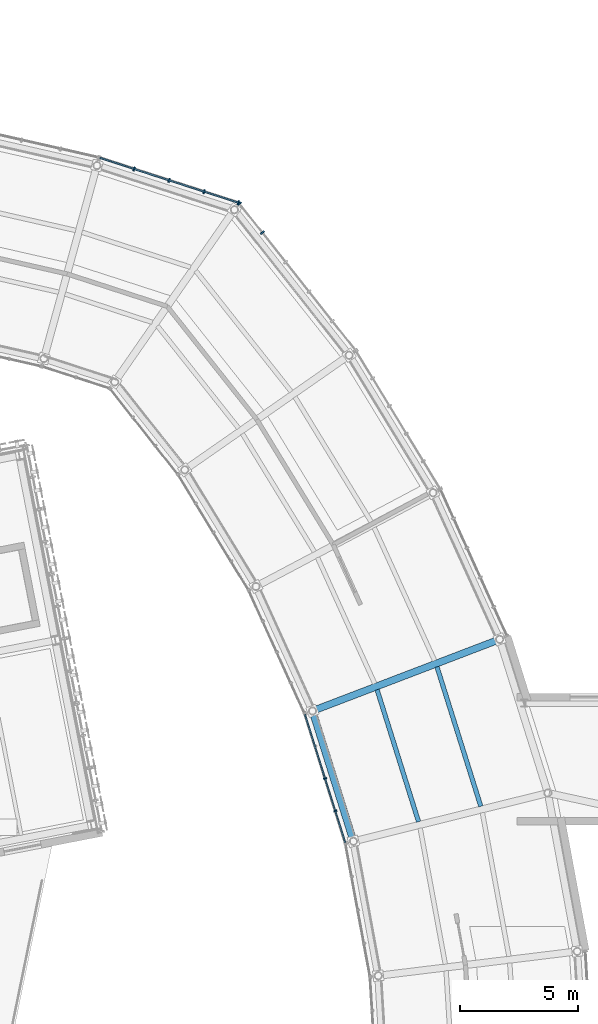
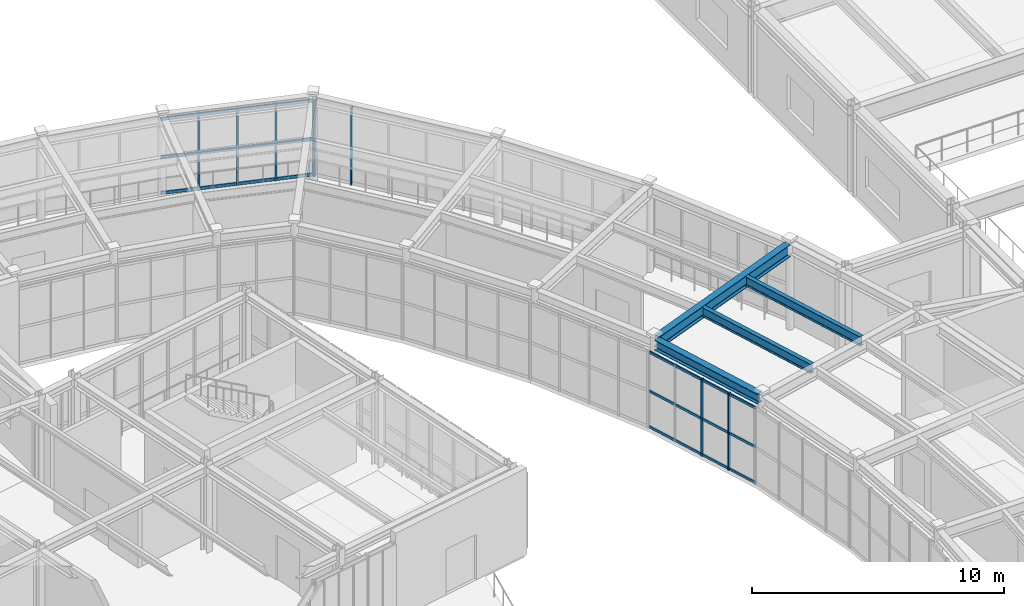
# One storey, part 49 of 103: 14 members, 4 beams, 3 elements without a shape of their own.
"""IFC4 building model written with IfcOpenShell, lengths in metres."""

from ifc_helpers import new_model, si_unit, direction, frame, origin, origin_2d, place, context, subcontext, project, spatial, rectangle, i_section, extrude, material, material_profile, profile_set, type_object, element, aggregate, save


model = new_model("IFC4")

# Units and contexts
model_context = context("Model", 3, precision=1e-05, world=origin(), true_north=direction((0.0, 1.0)))
body_context = subcontext(model_context, "Body", "Model", "MODEL_VIEW")
ifc_project = project(units=[si_unit("LENGTHUNIT", "METRE"), si_unit("AREAUNIT", "SQUARE_METRE"), si_unit("VOLUMEUNIT", "CUBIC_METRE"), si_unit("PLANEANGLEUNIT", "RADIAN"), si_unit("MASSUNIT", "GRAM", prefix="KILO")], contexts=[model_context])

# Site, building, storey
site_placement = place(None, origin())
site = spatial("IfcSite", under=ifc_project, at=site_placement, CompositionType="ELEMENT")
building_placement = place(site_placement, origin())
building = spatial("IfcBuilding", under=site, at=building_placement, Name="Varnklinge Art Gallery", CompositionType="ELEMENT")
storey_placement = place(building_placement, frame((0.0, 0.0, 5.10009765625)))
storey = spatial("IfcBuildingStorey", under=building, at=storey_placement, Name="L01", CompositionType="ELEMENT", Elevation=5.10009765625)

# Beams
ifc_material_1 = material(Name="Steel S355", Category="steel")
ifc_material_profile_1 = material_profile(ifc_material_1, i_section(OverallWidth=0.300048828125, OverallDepth=0.590087890625, WebThickness=0.012939453125, FlangeThickness=0.02490234375, FilletRadius=0.027099609375, at=origin_2d()), Name="HEA 600")
ifc_profile_set_1 = profile_set([ifc_material_profile_1], Name="Steel S355")
beam_type_1 = type_object("IfcBeamType", Name="BM-06", PredefinedType="BEAM", material=ifc_profile_set_1)
beam_1_placement = place(storey_placement, frame((107.415771484375, 75.047119140625, 3.885009765625), z_axis=(-0.934013153302, -0.357238616976, 0.0), x_axis=(0.357238616976, -0.934013153302, 0.0)))
element("IfcBeam", 1, at=beam_1_placement, inside=storey, type_object=beam_type_1, Name="L01 BM-06 BM-V2-L02-R10", PredefinedType="BEAM", context=body_context, shape_type="SweptSolid", body=[
    extrude(i_section(OverallWidth=0.300048828125, OverallDepth=0.590087890625, WebThickness=0.012939453125, FlangeThickness=0.02490234375, FilletRadius=0.027099609375, at=origin_2d()), origin(), (0.0, 0.0, 1.0), 8.237060546875),
])
ifc_material_2 = material(Name="Steel S355", Category="steel")
ifc_material_profile_2 = material_profile(ifc_material_2, i_section(OverallWidth=0.18994140625, OverallDepth=0.449951171875, WebThickness=0.009521484375, FlangeThickness=0.0146484375, FilletRadius=0.02099609375, at=origin_2d()), Name="IPE 450")
ifc_profile_set_2 = profile_set([ifc_material_profile_2], Name="Steel S355")
beam_type_2 = type_object("IfcBeamType", Name="JST-04", PredefinedType="JOIST", material=ifc_profile_set_2)
beam_2_placement = place(storey_placement, frame((106.74609375, 68.001220703125, 3.954833984375), z_axis=(-0.29971318729, 0.954029352465, 0.0), x_axis=(-0.954029352465, -0.29971318729, 0.0)))
element("IfcBeam", 2, at=beam_2_placement, inside=storey, type_object=beam_type_2, Name="L01 JST-04 JST-V2-L02-09-1", PredefinedType="JOIST", context=body_context, shape_type="SweptSolid", body=[
    extrude(i_section(OverallWidth=0.18994140625, OverallDepth=0.449951171875, WebThickness=0.009521484375, FlangeThickness=0.0146484375, FilletRadius=0.02099609375, at=origin_2d()), origin(), (0.0, 0.0, 1.0), 6.213623046875),
])
beam_3_placement = place(storey_placement, frame((104.10107421875, 67.343994140625, 3.954833984375), z_axis=(-0.299756442746, 0.954015762465, 0.0), x_axis=(-0.954015762465, -0.299756442746, 0.0)))
element("IfcBeam", 3, at=beam_3_placement, inside=storey, type_object=beam_type_2, Name="L01 JST-04 JST-V2-L02-09-2", PredefinedType="JOIST", context=body_context, shape_type="SweptSolid", body=[
    extrude(i_section(OverallWidth=0.18994140625, OverallDepth=0.449951171875, WebThickness=0.009521484375, FlangeThickness=0.0146484375, FilletRadius=0.02099609375, at=origin_2d()), origin(), (0.0, 0.0, 1.0), 5.882080078125),
])

# Curtain wall, members
ifc_material_3 = material(Name="Anodised Aluminium", Category="aluminium")
curtain_wall_type_1 = type_object("IfcCurtainWallType", Name="CW-R02", PredefinedType="USERDEFINED", material=ifc_material_3)
curtain_wall_1_placement = place(storey_placement, origin())
curtain_wall_1 = element("IfcCurtainWall", 4, at=curtain_wall_1_placement, inside=storey, type_object=curtain_wall_type_1, Name="L01 Curtain Wall CW-V2O-L01-12", ObjectType="UNITISED CURTAIN WALL", PredefinedType="USERDEFINED")
ifc_material_4 = material(Name="Anodised Aluminium", Category="aluminium")
ifc_material_profile_3 = material_profile(ifc_material_4, rectangle(XDim=0.06494140625, YDim=0.179931640625, at=origin_2d()), Name="ALU 65x180")
ifc_profile_set_3 = profile_set([ifc_material_profile_3], Name="Anodised Aluminium")
member_type_1 = type_object("IfcMemberType", Name="MUL-01", PredefinedType="MULLION", material=ifc_profile_set_3)
member_1_placement = place(storey_placement, frame((97.4638671875, 92.392822265625, 0.0), z_axis=(0.0, 0.0, 1.0), x_axis=(-0.620737354217, 0.784018582101, 0.0)))
member_1 = element("IfcMember", 5, at=member_1_placement, type_object=member_type_1, Name="CW-V2O-L01-12 Mullion 5", PredefinedType="MULLION", context=body_context, shape_type="SweptSolid", body=[
    extrude(rectangle(XDim=0.06494140625, YDim=0.179931640625, at=origin_2d()), origin(), (0.0, 0.0, 1.0), 3.72998046875),
])
member_2_placement = place(storey_placement, frame((96.49072265625, 93.62158203125, 0.0), z_axis=(0.0, 0.0, 1.0), x_axis=(-0.620737354217, 0.784018582101, 0.0)))
member_2 = element("IfcMember", 6, at=member_2_placement, type_object=member_type_1, Name="CW-V2O-L01-12 Mullion 6", PredefinedType="MULLION", context=body_context, shape_type="SweptSolid", body=[
    extrude(rectangle(XDim=0.06494140625, YDim=0.179931640625, at=origin_2d()), origin(), (0.0, 0.0, 1.0), 3.72998046875),
])
aggregate(curtain_wall_1, [member_1, member_2])

curtain_wall_2_placement = place(storey_placement, origin())
curtain_wall_2 = element("IfcCurtainWall", 7, at=curtain_wall_2_placement, inside=storey, type_object=curtain_wall_type_1, Name="L01 Curtain Wall CW-V2O-L01-13", ObjectType="UNITISED CURTAIN WALL", PredefinedType="USERDEFINED")
member_3_placement = place(storey_placement, frame((96.439697265625, 93.6572265625, 0.0), z_axis=(0.0, 0.0, 1.0), x_axis=(-0.951272019071, 0.30835295642, 0.0)))
member_3 = element("IfcMember", 8, at=member_3_placement, type_object=member_type_1, Name="CW-V2O-L01-13 Mullion 1", PredefinedType="MULLION", context=body_context, shape_type="SweptSolid", body=[
    extrude(rectangle(XDim=0.06494140625, YDim=0.179931640625, at=origin_2d()), origin(), (0.0, 0.0, 1.0), 3.72998046875),
])
member_4_placement = place(storey_placement, frame((94.983642578125, 94.129150390625, 0.0), z_axis=(0.0, 0.0, 1.0), x_axis=(-0.951272019071, 0.30835295642, 0.0)))
member_4 = element("IfcMember", 9, at=member_4_placement, type_object=member_type_1, Name="CW-V2O-L01-13 Mullion 2", PredefinedType="MULLION", context=body_context, shape_type="SweptSolid", body=[
    extrude(rectangle(XDim=0.06494140625, YDim=0.179931640625, at=origin_2d()), origin(), (0.0, 0.0, 1.0), 3.72998046875),
])
member_5_placement = place(storey_placement, frame((93.49658203125, 94.611083984375, 0.0), z_axis=(0.0, 0.0, 1.0), x_axis=(-0.951272019071, 0.30835295642, 0.0)))
member_5 = element("IfcMember", 10, at=member_5_placement, type_object=member_type_1, Name="CW-V2O-L01-13 Mullion 3", PredefinedType="MULLION", context=body_context, shape_type="SweptSolid", body=[
    extrude(rectangle(XDim=0.06494140625, YDim=0.179931640625, at=origin_2d()), origin(), (0.0, 0.0, 1.0), 3.72998046875),
])
member_6_placement = place(storey_placement, frame((92.009521484375, 95.093017578125, 0.0), z_axis=(0.0, 0.0, 1.0), x_axis=(-0.951272019071, 0.30835295642, 0.0)))
member_6 = element("IfcMember", 11, at=member_6_placement, type_object=member_type_1, Name="CW-V2O-L01-13 Mullion 4", PredefinedType="MULLION", context=body_context, shape_type="SweptSolid", body=[
    extrude(rectangle(XDim=0.06494140625, YDim=0.179931640625, at=origin_2d()), origin(), (0.0, 0.0, 1.0), 3.72998046875),
])

ifc_material_5 = material(Name="Anodised Aluminium", Category="aluminium")
curtain_wall_type_2 = type_object("IfcCurtainWallType", Name="CW-R04", PredefinedType="USERDEFINED", material=ifc_material_5)
curtain_wall_3_placement = place(storey_placement, origin())
curtain_wall_3 = element("IfcCurtainWall", 12, at=curtain_wall_3_placement, inside=storey, type_object=curtain_wall_type_2, Name="L01 Curtain Wall CW-V2I-L01-09", ObjectType="UNITISED CURTAIN WALL", PredefinedType="USERDEFINED")
ifc_material_6 = material(Name="Anodised Aluminium", Category="aluminium")
ifc_material_profile_4 = material_profile(ifc_material_6, rectangle(XDim=0.06005859375, YDim=0.139892578125, at=origin_2d()), Name="ALU 60x140")
ifc_profile_set_4 = profile_set([ifc_material_profile_4], Name="Anodised Aluminium")
member_type_2 = type_object("IfcMemberType", Name="MUL-03", PredefinedType="MULLION", material=ifc_profile_set_4)
member_7_placement = place(storey_placement, frame((100.128662109375, 69.1787109375, 0.0), z_axis=(0.0, 0.0, 1.0), x_axis=(0.299706904751, -0.954031326134, 0.0)))
member_7 = element("IfcMember", 13, at=member_7_placement, type_object=member_type_2, Name="CW-V2I-L01-09 Mullion 3", PredefinedType="MULLION", context=body_context, shape_type="SweptSolid", body=[
    extrude(rectangle(XDim=0.06005859375, YDim=0.139892578125, at=origin_2d()), origin(), (0.0, 0.0, 1.0), 3.72998046875),
])
member_8_placement = place(storey_placement, frame((100.560791015625, 67.802978515625, 0.0), z_axis=(0.0, 0.0, 1.0), x_axis=(0.299706904751, -0.954031326134, 0.0)))
member_8 = element("IfcMember", 14, at=member_8_placement, type_object=member_type_2, Name="CW-V2I-L01-09 Mullion 4", PredefinedType="MULLION", context=body_context, shape_type="SweptSolid", body=[
    extrude(rectangle(XDim=0.06005859375, YDim=0.139892578125, at=origin_2d()), origin(), (0.0, 0.0, 1.0), 3.72998046875),
])

# Beam
ifc_material_7 = material(Name="Steel S355", Category="steel")
ifc_material_profile_5 = material_profile(ifc_material_7, i_section(OverallWidth=0.300048828125, OverallDepth=0.489990234375, WebThickness=0.011962890625, FlangeThickness=0.02294921875, FilletRadius=0.027099609375, at=origin_2d()), Name="HEA 500")
ifc_profile_set_5 = profile_set([ifc_material_profile_5], Name="Steel S355")
beam_type_3 = type_object("IfcBeamType", Name="SPB-01", PredefinedType="SPANDREL", material=ifc_profile_set_5)
beam_4_placement = place(storey_placement, frame((101.290771484375, 66.6455078125, 3.934814453125), z_axis=(-0.299742786947, 0.954020053077, 0.0), x_axis=(-0.954020053077, -0.299742786947, 0.0)))
element("IfcBeam", 15, at=beam_4_placement, inside=storey, type_object=beam_type_3, Name="L01 SPB-01 BM-V2-L02-I09", PredefinedType="SPANDREL", context=body_context, shape_type="SweptSolid", body=[
    extrude(i_section(OverallWidth=0.300048828125, OverallDepth=0.489990234375, WebThickness=0.011962890625, FlangeThickness=0.02294921875, FilletRadius=0.027099609375, at=origin_2d()), origin(), (0.0, 0.0, 1.0), 5.529541015625),
])

# Member
ifc_material_8 = material(Name="Anodised Aluminium", Category="aluminium")
ifc_material_profile_6 = material_profile(ifc_material_8, rectangle(XDim=0.06494140625, YDim=0.14990234375, at=origin_2d()), Name="ALU 65x150")
ifc_profile_set_6 = profile_set([ifc_material_profile_6], Name="Anodised Aluminium")
member_type_3 = type_object("IfcMemberType", Name="TRN-01", PredefinedType="USERDEFINED", material=ifc_profile_set_6)
member_9_placement = place(storey_placement, frame((96.439697265625, 93.6572265625, 0.074951171875), z_axis=(-0.951297583727, 0.308274078045, 0.0), x_axis=(-0.308274078045, -0.951297583727, 0.0)))
member_9 = element("IfcMember", 16, at=member_9_placement, type_object=member_type_3, Name="CW-V2O-L01-13 Transom 1", ObjectType="TRANSOM", PredefinedType="USERDEFINED", context=body_context, shape_type="SweptSolid", body=[
    extrude(rectangle(XDim=0.06494140625, YDim=0.14990234375, at=origin_2d()), origin(), (0.0, 0.0, 1.0), 6.1875),
])

member_10_placement = place(storey_placement, frame((96.439697265625, 93.6572265625, 1.790283203125), z_axis=(-0.951297583727, 0.308274078045, 0.0), x_axis=(-0.308274078045, -0.951297583727, 0.0)))
member_10 = element("IfcMember", 17, at=member_10_placement, type_object=member_type_3, Name="CW-V2O-L01-13 Transom 2", ObjectType="TRANSOM", PredefinedType="USERDEFINED", context=body_context, shape_type="SweptSolid", body=[
    extrude(rectangle(XDim=0.06494140625, YDim=0.14990234375, at=origin_2d()), origin(), (0.0, 0.0, 1.0), 6.1875),
])

member_11_placement = place(storey_placement, frame((96.439697265625, 93.6572265625, 3.65478515625), z_axis=(-0.951297583727, 0.308274078045, 0.0), x_axis=(-0.308274078045, -0.951297583727, 0.0)))
member_11 = element("IfcMember", 18, at=member_11_placement, type_object=member_type_3, Name="CW-V2O-L01-13 Transom 3", ObjectType="TRANSOM", PredefinedType="USERDEFINED", context=body_context, shape_type="SweptSolid", body=[
    extrude(rectangle(XDim=0.06494140625, YDim=0.14990234375, at=origin_2d()), origin(), (0.0, 0.0, 1.0), 6.1875),
])

aggregate(curtain_wall_2, [member_3, member_4, member_5, member_6, member_9, member_10, member_11])

ifc_material_9 = material(Name="Anodised Aluminium", Category="aluminium")
ifc_material_profile_7 = material_profile(ifc_material_9, rectangle(XDim=0.06005859375, YDim=0.1201171875, at=origin_2d()), Name="ALU 60x120")
ifc_profile_set_7 = profile_set([ifc_material_profile_7], Name="Anodised Aluminium")
member_type_4 = type_object("IfcMemberType", Name="TRN-02", PredefinedType="USERDEFINED", material=ifc_profile_set_7)
member_12_placement = place(storey_placement, frame((99.2734375, 71.90087890625, 0.059814453125), z_axis=(0.29975317852, -0.954016788095, 0.0), x_axis=(0.954016788095, 0.29975317852, 0.0)))
member_12 = element("IfcMember", 19, at=member_12_placement, type_object=member_type_4, Name="CW-V2I-L01-09 Transom 1", ObjectType="TRANSOM", PredefinedType="USERDEFINED", context=body_context, shape_type="SweptSolid", body=[
    extrude(rectangle(XDim=0.06005859375, YDim=0.1201171875, at=origin_2d()), origin(), (0.0, 0.0, 1.0), 5.70703125),
])

member_13_placement = place(storey_placement, frame((99.2734375, 71.90087890625, 1.790283203125), z_axis=(0.29975317852, -0.954016788095, 0.0), x_axis=(0.954016788095, 0.29975317852, 0.0)))
member_13 = element("IfcMember", 20, at=member_13_placement, type_object=member_type_4, Name="CW-V2I-L01-09 Transom 2", ObjectType="TRANSOM", PredefinedType="USERDEFINED", context=body_context, shape_type="SweptSolid", body=[
    extrude(rectangle(XDim=0.06005859375, YDim=0.1201171875, at=origin_2d()), origin(), (0.0, 0.0, 1.0), 5.70703125),
])

member_14_placement = place(storey_placement, frame((99.2734375, 71.90087890625, 3.669921875), z_axis=(0.29975317852, -0.954016788095, 0.0), x_axis=(0.954016788095, 0.29975317852, 0.0)))
member_14 = element("IfcMember", 21, at=member_14_placement, type_object=member_type_4, Name="CW-V2I-L01-09 Transom 3", ObjectType="TRANSOM", PredefinedType="USERDEFINED", context=body_context, shape_type="SweptSolid", body=[
    extrude(rectangle(XDim=0.06005859375, YDim=0.1201171875, at=origin_2d()), origin(), (0.0, 0.0, 1.0), 5.70703125),
])

aggregate(curtain_wall_3, [member_7, member_8, member_12, member_13, member_14])

save(model, "model.ifc")
